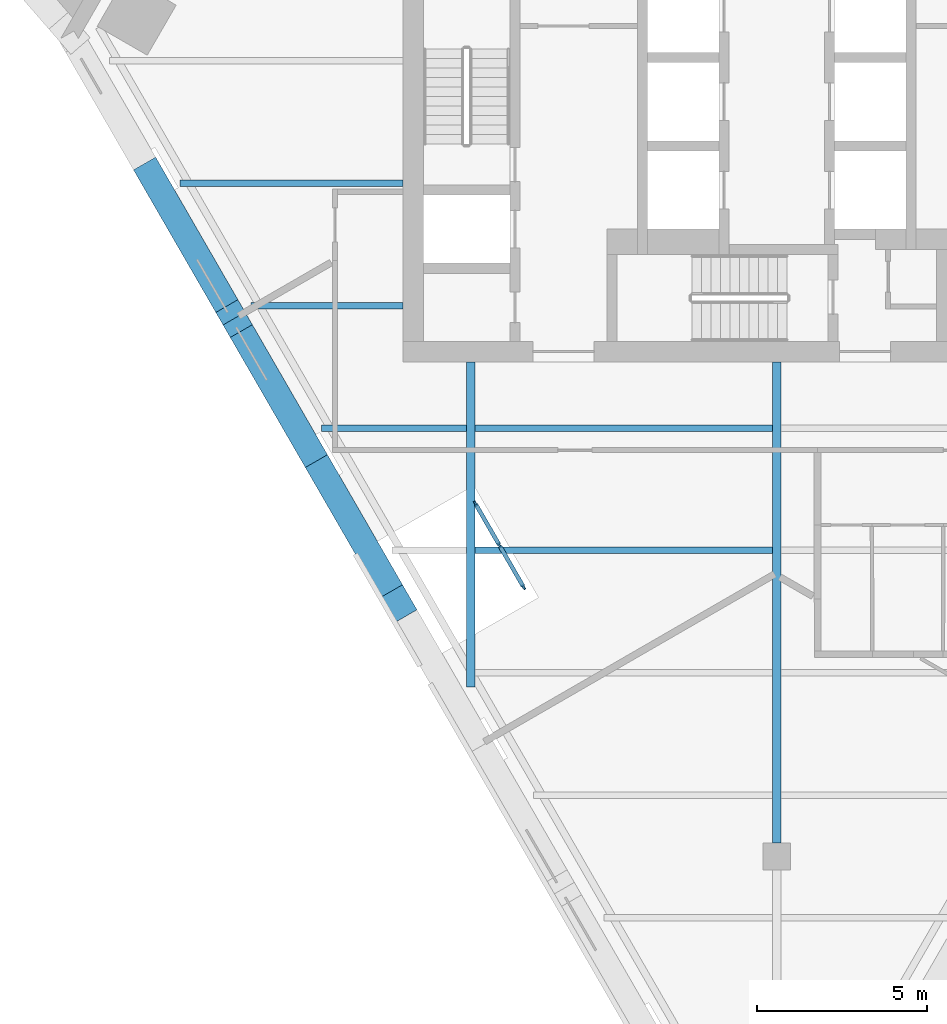
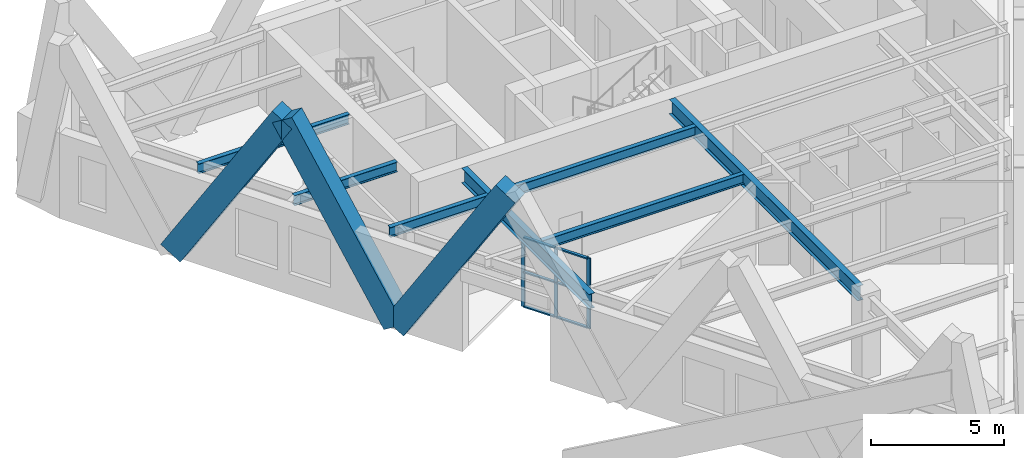
# One storey, part 2 of 9: 12 members, 7 beams, 1 element without a shape of its own.
"""IFC4 building model written with IfcOpenShell, lengths in metres."""

from ifc_helpers import new_model, si_unit, direction, frame, origin, origin_2d, place, context, subcontext, project, spatial, rectangle, i_section, extrude, material, material_profile, profile_set, type_object, element, aggregate, save


model = new_model("IFC4")

# Units and contexts
model_context = context("Model", 3, precision=1e-05, world=origin(), true_north=direction((0.0, 1.0)))
body_context = subcontext(model_context, "Body", "Model", "MODEL_VIEW")
ifc_project = project(units=[si_unit("LENGTHUNIT", "METRE"), si_unit("AREAUNIT", "SQUARE_METRE"), si_unit("VOLUMEUNIT", "CUBIC_METRE"), si_unit("PLANEANGLEUNIT", "RADIAN"), si_unit("MASSUNIT", "GRAM", prefix="KILO")], contexts=[model_context])

# Site, building, storey
site_placement = place(None, origin())
site = spatial("IfcSite", under=ifc_project, at=site_placement, CompositionType="ELEMENT")
building_placement = place(site_placement, origin())
building = spatial("IfcBuilding", under=site, at=building_placement, Name="Aloe Facet Convention Tower", CompositionType="ELEMENT")
storey_placement = place(building_placement, frame((0.0, 0.0, 203.60009765625)))
storey = spatial("IfcBuildingStorey", under=building, at=storey_placement, Name="L51", CompositionType="ELEMENT", Elevation=203.60009765625)

# Curtain wall, members
ifc_material_1 = material(Name="Aluminium, anodised", Category="aluminium")
curtain_wall_type = type_object("IfcCurtainWallType", Name="EV-CW-TERRACE", PredefinedType="USERDEFINED", material=ifc_material_1)
curtain_wall_placement = place(storey_placement, origin())
curtain_wall = element("IfcCurtainWall", 1, at=curtain_wall_placement, inside=storey, type_object=curtain_wall_type, Name="CW-T11", ObjectType="TERRACE BACK GLAZING", PredefinedType="USERDEFINED")
ifc_material_2 = material(Name="Aluminium, anodised", Category="aluminium")
ifc_material_profile_1 = material_profile(ifc_material_2, rectangle(XDim=0.06005859375, YDim=0.14990234375, at=origin_2d()), Name="AL 60x150")
ifc_profile_set_1 = profile_set([ifc_material_profile_1], Name="Aluminium, anodised")
member_type_1 = type_object("IfcMemberType", Name="EV-MULL-TERRACE", PredefinedType="MULLION", material=ifc_profile_set_1)
member_1_placement = place(storey_placement, frame((71.133544921875, 118.37744140625, -0.150146484375), z_axis=(0.0, 0.0, 1.0), x_axis=(0.866025403784, 0.5, 0.0)))
member_1 = element("IfcMember", 2, at=member_1_placement, type_object=member_type_1, Name="CW-T11 mullion 1", PredefinedType="MULLION", context=body_context, shape_type="SweptSolid", body=[
    extrude(rectangle(XDim=0.06005859375, YDim=0.14990234375, at=origin_2d()), origin(), (0.0, 0.0, 1.0), 3.22216796875),
])
member_2_placement = place(storey_placement, frame((71.84375, 117.147705078125, -0.150146484375), z_axis=(0.0, 0.0, 1.0), x_axis=(0.866025403784, 0.5, 0.0)))
member_2 = element("IfcMember", 3, at=member_2_placement, type_object=member_type_1, Name="CW-T11 mullion 2", PredefinedType="MULLION", context=body_context, shape_type="SweptSolid", body=[
    extrude(rectangle(XDim=0.06005859375, YDim=0.14990234375, at=origin_2d()), origin(), (0.0, 0.0, 1.0), 3.22216796875),
])
member_3_placement = place(storey_placement, frame((72.5537109375, 115.91796875, -0.150146484375), z_axis=(0.0, 0.0, 1.0), x_axis=(0.866025403784, 0.5, 0.0)))
member_3 = element("IfcMember", 4, at=member_3_placement, type_object=member_type_1, Name="CW-T11 mullion 3", PredefinedType="MULLION", context=body_context, shape_type="SweptSolid", body=[
    extrude(rectangle(XDim=0.06005859375, YDim=0.14990234375, at=origin_2d()), origin(), (0.0, 0.0, 1.0), 3.22216796875),
])
ifc_material_3 = material(Name="Aluminium, anodised", Category="aluminium")
ifc_material_profile_2 = material_profile(ifc_material_3, rectangle(XDim=0.1201171875, YDim=0.06005859375, at=origin_2d()), Name="AL 120x60")
ifc_profile_set_2 = profile_set([ifc_material_profile_2], Name="Aluminium, anodised")
member_type_2 = type_object("IfcMemberType", Name="EV-TRAN-TERRACE", PredefinedType="USERDEFINED", material=ifc_profile_set_2)
member_4_placement = place(storey_placement, frame((71.148681640625, 118.3515625, -0.1201171875), z_axis=(0.499981459473, -0.866036107898, 0.0), x_axis=(0.866036107898, 0.499981459473, 0.0)))
member_4 = element("IfcMember", 5, at=member_4_placement, type_object=member_type_2, Name="CW-T11 transom 1.1", ObjectType="TRANSOM", PredefinedType="USERDEFINED", context=body_context, shape_type="SweptSolid", body=[
    extrude(rectangle(XDim=0.1201171875, YDim=0.06005859375, at=origin_2d()), origin(), (0.0, 0.0, 1.0), 1.35986328125),
])
member_5_placement = place(storey_placement, frame((71.148681640625, 118.3515625, 1.4609375), z_axis=(0.499981459473, -0.866036107898, 0.0), x_axis=(0.866036107898, 0.499981459473, 0.0)))
member_5 = element("IfcMember", 6, at=member_5_placement, type_object=member_type_2, Name="CW-T11 transom 1.2", ObjectType="TRANSOM", PredefinedType="USERDEFINED", context=body_context, shape_type="SweptSolid", body=[
    extrude(rectangle(XDim=0.1201171875, YDim=0.06005859375, at=origin_2d()), origin(), (0.0, 0.0, 1.0), 1.35986328125),
])
member_6_placement = place(storey_placement, frame((71.148681640625, 118.3515625, 3.0419921875), z_axis=(0.499981459473, -0.866036107898, 0.0), x_axis=(0.866036107898, 0.499981459473, 0.0)))
member_6 = element("IfcMember", 7, at=member_6_placement, type_object=member_type_2, Name="CW-T11 transom 1.3", ObjectType="TRANSOM", PredefinedType="USERDEFINED", context=body_context, shape_type="SweptSolid", body=[
    extrude(rectangle(XDim=0.1201171875, YDim=0.06005859375, at=origin_2d()), origin(), (0.0, 0.0, 1.0), 1.35986328125),
])
member_7_placement = place(storey_placement, frame((71.858642578125, 117.121826171875, -0.1201171875), z_axis=(0.499981459473, -0.866036107898, 0.0), x_axis=(0.866036107898, 0.499981459473, 0.0)))
member_7 = element("IfcMember", 8, at=member_7_placement, type_object=member_type_2, Name="CW-T11 transom 2.1", ObjectType="TRANSOM", PredefinedType="USERDEFINED", context=body_context, shape_type="SweptSolid", body=[
    extrude(rectangle(XDim=0.1201171875, YDim=0.06005859375, at=origin_2d()), origin(), (0.0, 0.0, 1.0), 1.35986328125),
])
member_8_placement = place(storey_placement, frame((71.858642578125, 117.121826171875, 1.4609375), z_axis=(0.499981459473, -0.866036107898, 0.0), x_axis=(0.866036107898, 0.499981459473, 0.0)))
member_8 = element("IfcMember", 9, at=member_8_placement, type_object=member_type_2, Name="CW-T11 transom 2.2", ObjectType="TRANSOM", PredefinedType="USERDEFINED", context=body_context, shape_type="SweptSolid", body=[
    extrude(rectangle(XDim=0.1201171875, YDim=0.06005859375, at=origin_2d()), origin(), (0.0, 0.0, 1.0), 1.35986328125),
])
member_9_placement = place(storey_placement, frame((71.858642578125, 117.121826171875, 3.0419921875), z_axis=(0.499981459473, -0.866036107898, 0.0), x_axis=(0.866036107898, 0.499981459473, 0.0)))
member_9 = element("IfcMember", 10, at=member_9_placement, type_object=member_type_2, Name="CW-T11 transom 2.3", ObjectType="TRANSOM", PredefinedType="USERDEFINED", context=body_context, shape_type="SweptSolid", body=[
    extrude(rectangle(XDim=0.1201171875, YDim=0.06005859375, at=origin_2d()), origin(), (0.0, 0.0, 1.0), 1.35986328125),
])
aggregate(curtain_wall, [member_1, member_2, member_3, member_4, member_5, member_6, member_7, member_8, member_9])

# Beams
ifc_material_4 = material(Name="Steel S355", Category="steel")
ifc_material_profile_3 = material_profile(ifc_material_4, i_section(OverallWidth=0.19140625, OverallDepth=0.4599609375, WebThickness=0.010009765625, FlangeThickness=0.01611328125, FilletRadius=0.01025390625, at=origin_2d()), Name="UB 457x191x82")
ifc_profile_set_3 = profile_set([ifc_material_profile_3], Name="Steel S355")
beam_type_1 = type_object("IfcBeamType", Name="SF-B-UB457x191x82", PredefinedType="BEAM", material=ifc_profile_set_3)
beam_1_placement = place(storey_placement, frame((62.452392578125, 127.800048828125, 3.52001953125), z_axis=(1.0, 0.0, 0.0), x_axis=(0.0, 1.0, 0.0)))
element("IfcBeam", 11, at=beam_1_placement, inside=storey, type_object=beam_type_1, Name="Floor beam FB-Z4B-010", PredefinedType="BEAM", context=body_context, shape_type="SweptSolid", body=[
    extrude(i_section(OverallWidth=0.19140625, OverallDepth=0.4599609375, WebThickness=0.010009765625, FlangeThickness=0.01611328125, FilletRadius=0.01025390625, at=origin_2d()), origin(), (0.0, 0.0, 1.0), 6.547607421875),
])
beam_2_placement = place(storey_placement, frame((64.53076171875, 124.199951171875, 3.52001953125), z_axis=(1.0, 0.0, 0.0), x_axis=(0.0, 1.0, 0.0)))
element("IfcBeam", 12, at=beam_2_placement, inside=storey, type_object=beam_type_1, Name="Floor beam FB-Z4B-011", PredefinedType="BEAM", context=body_context, shape_type="SweptSolid", body=[
    extrude(i_section(OverallWidth=0.19140625, OverallDepth=0.4599609375, WebThickness=0.010009765625, FlangeThickness=0.01611328125, FilletRadius=0.01025390625, at=origin_2d()), origin(), (0.0, 0.0, 1.0), 4.46923828125),
])
beam_3_placement = place(storey_placement, frame((66.609130859375, 120.60009765625, 3.52001953125), z_axis=(1.0, 0.0, 0.0), x_axis=(0.0, 1.0, 0.0)))
element("IfcBeam", 13, at=beam_3_placement, inside=storey, type_object=beam_type_1, Name="Floor beam FB-Z4B-012", PredefinedType="BEAM", context=body_context, shape_type="SweptSolid", body=[
    extrude(i_section(OverallWidth=0.19140625, OverallDepth=0.4599609375, WebThickness=0.010009765625, FlangeThickness=0.01611328125, FilletRadius=0.01025390625, at=origin_2d()), origin(), (0.0, 0.0, 1.0), 4.264404296875),
])
for number, where, z_axis, x_axis, name in (
    (14, (71.12646484375, 117.0, 3.52001953125), (1.0, 0.0, 0.0), (0.0, 1.0, 0.0), "Floor beam FB-Z4B-015"),
    (15, (71.12646484375, 120.60009765625, 3.52001953125), (1.0, 0.0, 0.0), (0.0, 1.0, 0.0), "Floor beam FB-Z4B-016"),
):
    element("IfcBeam", number, at=place(storey_placement, frame(where, z_axis=z_axis, x_axis=x_axis)), inside=storey, type_object=beam_type_1, Name=name, PredefinedType="BEAM", context=body_context, shape_type="SweptSolid", body=[
        extrude(i_section(OverallWidth=0.19140625, OverallDepth=0.4599609375, WebThickness=0.010009765625, FlangeThickness=0.01611328125, FilletRadius=0.01025390625, at=origin_2d()), origin(), (0.0, 0.0, 1.0), 8.7470703125),
    ])
ifc_material_5 = material(Name="Steel S355", Category="steel")
ifc_material_profile_4 = material_profile(ifc_material_5, i_section(OverallWidth=0.2529296875, OverallDepth=0.677978515625, WebThickness=0.01171875, FlangeThickness=0.01611328125, FilletRadius=0.01513671875, at=origin_2d()), Name="UB 686x254x125")
ifc_profile_set_4 = profile_set([ifc_material_profile_4], Name="Steel S355")
beam_type_2 = type_object("IfcBeamType", Name="SF-B-UB686x254x125", PredefinedType="BEAM", material=ifc_profile_set_4)
beam_4_placement = place(storey_placement, frame((71.0, 122.550048828125, 3.410888671875), z_axis=(0.0, -1.0, 0.0), x_axis=(1.0, 0.0, 0.0)))
element("IfcBeam", 16, at=beam_4_placement, inside=storey, type_object=beam_type_2, Name="Floor beam FB-Z4B-005", PredefinedType="BEAM", context=body_context, shape_type="SweptSolid", body=[
    extrude(i_section(OverallWidth=0.2529296875, OverallDepth=0.677978515625, WebThickness=0.01171875, FlangeThickness=0.01611328125, FilletRadius=0.01513671875, at=origin_2d()), origin(), (0.0, 0.0, 1.0), 9.5625),
])
beam_5_placement = place(storey_placement, frame((80.0, 122.550048828125, 3.410888671875), z_axis=(0.0, -1.0, 0.0), x_axis=(1.0, 0.0, 0.0)))
element("IfcBeam", 17, at=beam_5_placement, inside=storey, type_object=beam_type_2, Name="Floor beam FB-Z4B-007", PredefinedType="BEAM", context=body_context, shape_type="SweptSolid", body=[
    extrude(i_section(OverallWidth=0.2529296875, OverallDepth=0.677978515625, WebThickness=0.01171875, FlangeThickness=0.01611328125, FilletRadius=0.01513671875, at=origin_2d()), origin(), (0.0, 0.0, 1.0), 14.150146484375),
])

# Members
ifc_material_6 = material(Name="Concrete C60/75, bronze oxide finish", Category="concrete")
ifc_material_profile_5 = material_profile(ifc_material_6, rectangle(XDim=0.75, YDim=1.0, at=origin_2d()), Name="STW-LM")
ifc_profile_set_5 = profile_set([ifc_material_profile_5], Name="Concrete C60/75, bronze oxide finish")
member_type_3 = type_object("IfcMemberType", Name="STW-LM", PredefinedType="BRACE", material=ifc_profile_set_5)
member_10_placement = place(storey_placement, frame((61.61572265625, 128.012939453125, 0.0), z_axis=(0.263684325691, -0.456707102884, 0.849640629066), x_axis=(0.866021826347, 0.500006196252, 0.0)))
element("IfcMember", 18, at=member_10_placement, inside=storey, type_object=member_type_3, Name="Lattice member LM-Z4-F2-R3-02", PredefinedType="BRACE", context=body_context, shape_type="SweptSolid", body=[
    extrude(rectangle(XDim=0.75, YDim=1.0, at=origin_2d()), origin(), (0.0, 0.0, 1.0), 9.18017578125),
])
member_11_placement = place(storey_placement, frame((66.45703125, 119.6279296875, 0.0), z_axis=(-0.263687528337, 0.45668605513, 0.849650948596), x_axis=(-0.866009217892, -0.500028033741, 0.0)))
element("IfcMember", 19, at=member_11_placement, inside=storey, type_object=member_type_3, Name="Lattice member LM-Z4-F2-R3-03", PredefinedType="BRACE", context=body_context, shape_type="SweptSolid", body=[
    extrude(rectangle(XDim=0.75, YDim=1.0, at=origin_2d()), origin(), (0.0, 0.0, 1.0), 9.179931640625),
])
member_12_placement = place(storey_placement, frame((66.45703125, 119.6279296875, 0.0), z_axis=(0.263659580045, -0.456710305438, 0.849646586975), x_axis=(0.866043662766, 0.499968373182, 0.0)))
element("IfcMember", 20, at=member_12_placement, inside=storey, type_object=member_type_3, Name="Lattice member LM-Z4-F2-R3-04", PredefinedType="BRACE", context=body_context, shape_type="SweptSolid", body=[
    extrude(rectangle(XDim=0.75, YDim=1.0, at=origin_2d()), origin(), (0.0, 0.0, 1.0), 9.18017578125),
])

save(model, "model.ifc")
